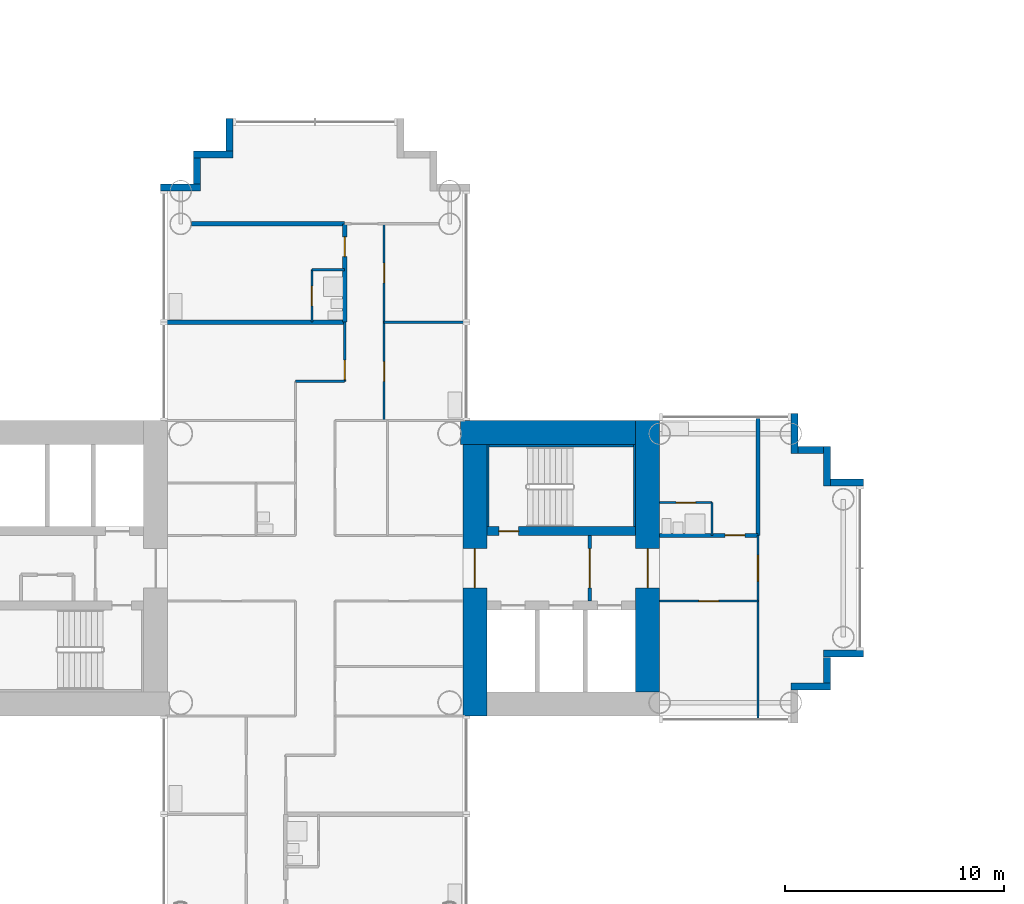
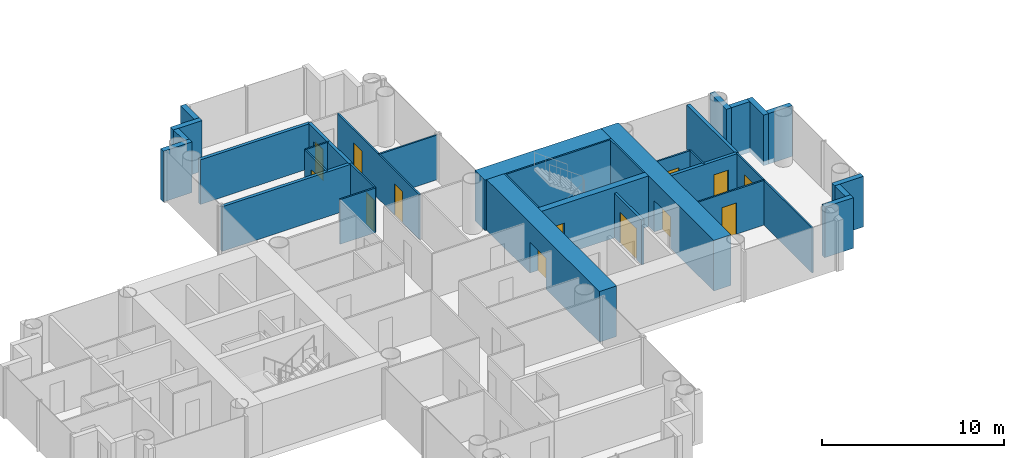
# One storey, part 11 of 22: 34 walls, 13 doors, 13 openings.
"""IFC4 building model written with IfcOpenShell, lengths in metres."""

from ifc_helpers import new_model, si_unit, direction, frame, frame_2d, origin, place, context, subcontext, project, spatial, rectangle, extrude, material, layer, layer_set, type_object, element, fill, save


model = new_model("IFC4")

# Units and contexts
model_context = context("Model", 3, precision=1e-05, world=origin(), true_north=direction((0.0, 1.0)))
body_context = subcontext(model_context, "Body", "Model", "MODEL_VIEW")
ifc_project = project(units=[si_unit("LENGTHUNIT", "METRE"), si_unit("AREAUNIT", "SQUARE_METRE"), si_unit("VOLUMEUNIT", "CUBIC_METRE"), si_unit("PLANEANGLEUNIT", "RADIAN"), si_unit("MASSUNIT", "GRAM", prefix="KILO")], contexts=[model_context])

# Site, building, storey
site_placement = place(None, origin())
site = spatial("IfcSite", under=ifc_project, at=site_placement, CompositionType="ELEMENT")
building_placement = place(site_placement, origin())
building = spatial("IfcBuilding", under=site, at=building_placement, Name="Ipe Terrace Towers", CompositionType="ELEMENT")
storey_placement = place(building_placement, frame((0.0, 0.0, 55.10009765625)))
storey = spatial("IfcBuildingStorey", under=building, at=storey_placement, Name="L14", CompositionType="ELEMENT", Elevation=55.10009765625)

# Walls
ifc_material_1 = material(Name="Concrete C40/50 with buff precast cladding", Category="concrete")
ifc_layer_1 = layer(ifc_material_1, 0.320068359375)
ifc_layer_set_1 = layer_set([ifc_layer_1], Name="BUFF CLADDING WALL 320")
wall_type_1 = type_object("IfcWallType", Name="BUFF CLADDING WALL 320", PredefinedType="STANDARD", material=ifc_layer_set_1)
wall_1_placement = place(storey_placement, frame((-14.25, -5.409912109375, -0.300048828125), z_axis=(0.0, 0.0, 1.0), x_axis=(1.0, 0.0, 0.0)))
element("IfcWall", 1, at=wall_1_placement, inside=storey, type_object=wall_type_1, Name="T1-W-L14-22a wall", PredefinedType="STANDARD", context=body_context, shape_type="SweptSolid", body=[
    extrude(rectangle(XDim=1.820068359375, YDim=0.320068359375, at=frame_2d((0.91015625, 0.0))), origin(), (0.0, 0.0, 1.0), 3.39990234375),
])
wall_2_placement = place(storey_placement, frame((-12.590087890625, -5.25, -0.300048828125), z_axis=(0.0, 0.0, 1.0), x_axis=(0.0, 1.0, 0.0)))
element("IfcWall", 2, at=wall_2_placement, inside=storey, type_object=wall_type_1, Name="T1-W-L14-23a wall", PredefinedType="STANDARD", context=body_context, shape_type="SweptSolid", body=[
    extrude(rectangle(XDim=1.179931640625, YDim=0.320068359375, at=frame_2d((0.58984375, 0.0))), origin(), (0.0, 0.0, 1.0), 3.39990234375),
])
wall_3_placement = place(storey_placement, frame((-12.75, -3.909912109375, -0.300048828125), z_axis=(0.0, 0.0, 1.0), x_axis=(1.0, 0.0, 0.0)))
element("IfcWall", 3, at=wall_3_placement, inside=storey, type_object=wall_type_1, Name="T1-W-L14-24a wall", PredefinedType="STANDARD", context=body_context, shape_type="SweptSolid", body=[
    extrude(rectangle(XDim=1.820068359375, YDim=0.320068359375, at=frame_2d((0.91015625, 0.0))), origin(), (0.0, 0.0, 1.0), 3.39990234375),
])
wall_4_placement = place(storey_placement, frame((-10.929931640625, 3.909912109375, -0.300048828125), z_axis=(0.0, 0.0, 1.0), x_axis=(-1.0, 0.0, 0.0)))
element("IfcWall", 4, at=wall_4_placement, inside=storey, type_object=wall_type_1, Name="T1-W-L14-26a wall", PredefinedType="STANDARD", context=body_context, shape_type="SweptSolid", body=[
    extrude(rectangle(XDim=1.5, YDim=0.320068359375, at=frame_2d((0.75, 0.0))), origin(), (0.0, 0.0, 1.0), 3.39990234375),
])
wall_5_placement = place(storey_placement, frame((-12.590087890625, 3.75, -0.300048828125), z_axis=(0.0, 0.0, 1.0), x_axis=(0.0, 1.0, 0.0)))
element("IfcWall", 5, at=wall_5_placement, inside=storey, type_object=wall_type_1, Name="T1-W-L14-27a wall", PredefinedType="STANDARD", context=body_context, shape_type="SweptSolid", body=[
    extrude(rectangle(XDim=1.820068359375, YDim=0.320068359375, at=frame_2d((0.91015625, 0.0))), origin(), (0.0, 0.0, 1.0), 3.39990234375),
])
wall_6_placement = place(storey_placement, frame((-12.75, 5.409912109375, -0.300048828125), z_axis=(0.0, 0.0, 1.0), x_axis=(-1.0, 0.0, 0.0)))
element("IfcWall", 6, at=wall_6_placement, inside=storey, type_object=wall_type_1, Name="T1-W-L14-28a wall", PredefinedType="STANDARD", context=body_context, shape_type="SweptSolid", body=[
    extrude(rectangle(XDim=1.179931640625, YDim=0.320068359375, at=frame_2d((0.58984375, 0.0))), origin(), (0.0, 0.0, 1.0), 3.39990234375),
])
wall_7_placement = place(storey_placement, frame((-14.090087890625, 5.25, -0.300048828125), z_axis=(0.0, 0.0, 1.0), x_axis=(0.0, 1.0, 0.0)))
element("IfcWall", 7, at=wall_7_placement, inside=storey, type_object=wall_type_1, Name="T1-W-L14-29a wall", PredefinedType="STANDARD", context=body_context, shape_type="SweptSolid", body=[
    extrude(rectangle(XDim=1.820068359375, YDim=0.320068359375, at=frame_2d((0.91015625, 0.0))), origin(), (0.0, 0.0, 1.0), 3.39990234375),
])
wall_8_placement = place(storey_placement, frame((-39.909912109375, 20.570068359375, -0.300048828125), z_axis=(0.0, 0.0, 1.0), x_axis=(0.0, -1.0, 0.0)))
element("IfcWall", 8, at=wall_8_placement, inside=storey, type_object=wall_type_1, Name="T1-W-L14-39a wall", PredefinedType="STANDARD", context=body_context, shape_type="SweptSolid", body=[
    extrude(rectangle(XDim=1.5, YDim=0.320068359375, at=frame_2d((0.75, 0.0))), origin(), (0.0, 0.0, 1.0), 3.39990234375),
])
wall_9_placement = place(storey_placement, frame((-39.75, 18.909912109375, -0.300048828125), z_axis=(0.0, 0.0, 1.0), x_axis=(-1.0, 0.0, 0.0)))
element("IfcWall", 9, at=wall_9_placement, inside=storey, type_object=wall_type_1, Name="T1-W-L14-40a wall", PredefinedType="STANDARD", context=body_context, shape_type="SweptSolid", body=[
    extrude(rectangle(XDim=1.820068359375, YDim=0.320068359375, at=frame_2d((0.91015625, 0.0))), origin(), (0.0, 0.0, 1.0), 3.39990234375),
])
wall_10_placement = place(storey_placement, frame((-41.409912109375, 18.75, -0.300048828125), z_axis=(0.0, 0.0, 1.0), x_axis=(0.0, -1.0, 0.0)))
element("IfcWall", 10, at=wall_10_placement, inside=storey, type_object=wall_type_1, Name="T1-W-L14-41a wall", PredefinedType="STANDARD", context=body_context, shape_type="SweptSolid", body=[
    extrude(rectangle(XDim=1.179931640625, YDim=0.320068359375, at=frame_2d((0.58984375, 0.0))), origin(), (0.0, 0.0, 1.0), 3.39990234375),
])
wall_11_placement = place(storey_placement, frame((-41.25, 17.409912109375, -0.300048828125), z_axis=(0.0, 0.0, 1.0), x_axis=(-1.0, 0.0, 0.0)))
element("IfcWall", 11, at=wall_11_placement, inside=storey, type_object=wall_type_1, Name="T1-W-L14-42a wall", PredefinedType="STANDARD", context=body_context, shape_type="SweptSolid", body=[
    extrude(rectangle(XDim=1.820068359375, YDim=0.320068359375, at=frame_2d((0.91015625, 0.0))), origin(), (0.0, 0.0, 1.0), 3.39990234375),
])

# Wall, opening, door
ifc_material_2 = material(Name="Gypsum board partition", Category="plasterboard")
ifc_layer_2 = layer(ifc_material_2, 0.10009765625)
ifc_layer_set_2 = layer_set([ifc_layer_2], Name="Gypsum board partition 100 mm")
wall_type_2 = type_object("IfcWallType", Name="Gypsum board partition 100 mm", PredefinedType="PARTITIONING", material=ifc_layer_set_2)
wall_12_placement = place(storey_placement, frame((-36.14990234375, 11.25, 0.0), z_axis=(0.0, 0.0, 1.0), x_axis=(0.0, 1.0, 0.0)))
wall_12 = element("IfcWall", 12, at=wall_12_placement, inside=storey, type_object=wall_type_2, Name="Gypsum board partition T1 L14 W11", PredefinedType="PARTITIONING", context=body_context, shape_type="SweptSolid", body=[
    extrude(rectangle(XDim=2.39990234375, YDim=0.10009765625, at=frame_2d((1.199951171875, 0.0))), origin(), (0.0, 0.0, 1.0), 3.0),
])
opening_1_placement = place(wall_12_placement, frame((0.75, 0.0, 0.0)))
opening_1 = element("IfcOpeningElement", 13, at=opening_1_placement, cuts=wall_12, Name="Opening T1-Z1D-11", PredefinedType="OPENING", context=body_context, shape_type="SweptSolid", body=[
    extrude(rectangle(XDim=0.89990234375, YDim=2.10009765625, at=frame_2d((0.449951171875, 1.050048828125))), frame((0.0, 0.06005859375, 0.0), z_axis=(0.0, -1.0, 0.0), x_axis=(1.0, 0.0, 0.0)), (0.0, 0.0, 1.0), 0.1201171875),
])
ifc_material_3 = material(Name="Timber door leaf", Category="wood")
door_type_1 = type_object("IfcDoorType", Name="Bathroom door 900 x 2100", OperationType="NOTDEFINED", PredefinedType="DOOR", material=ifc_material_3)
door_1_placement = place(opening_1_placement, origin())
door_1 = element("IfcDoor", 14, at=door_1_placement, inside=storey, type_object=door_type_1, Name="Bathroom door T1-Z1D-11", OperationType="SINGLE_SWING_LEFT", OverallHeight=2.10009765625, OverallWidth=0.89990234375, PredefinedType="DOOR", context=body_context, shape_type="SweptSolid", body=[
    extrude(rectangle(XDim=0.89990234375, YDim=2.10009765625, at=frame_2d((0.449951171875, 1.050048828125))), frame((0.0, 0.02490234375, 0.0), z_axis=(0.0, -1.0, 0.0), x_axis=(1.0, 0.0, 0.0)), (0.0, 0.0, 1.0), 0.050048828125),
])
fill(opening_1, door_1)

wall_13_placement = place(storey_placement, frame((-34.64990234375, 8.550048828125, 0.0), z_axis=(0.0, 0.0, 1.0), x_axis=(0.0, 1.0, 0.0)))
wall_13 = element("IfcWall", 15, at=wall_13_placement, inside=storey, type_object=wall_type_2, Name="Gypsum board partition T1 L14 W15", PredefinedType="PARTITIONING", context=body_context, shape_type="SweptSolid", body=[
    extrude(rectangle(XDim=2.699951171875, YDim=0.10009765625, at=frame_2d((1.35009765625, 0.0))), origin(), (0.0, 0.0, 1.0), 3.0),
])
opening_2_placement = place(wall_13_placement, frame((0.070068359375, 0.0, 0.0)))
opening_2 = element("IfcOpeningElement", 16, at=opening_2_placement, cuts=wall_13, Name="Opening T1-Z1D-09", PredefinedType="OPENING", context=body_context, shape_type="SweptSolid", body=[
    extrude(rectangle(XDim=0.89990234375, YDim=2.10009765625, at=frame_2d((0.449951171875, 1.050048828125))), frame((0.0, 0.06005859375, 0.0), z_axis=(0.0, -1.0, 0.0), x_axis=(1.0, 0.0, 0.0)), (0.0, 0.0, 1.0), 0.1201171875),
])
ifc_material_4 = material(Name="Timber door leaf", Category="wood")
door_type_2 = type_object("IfcDoorType", Name="Lounge door 900 x 2100", OperationType="NOTDEFINED", PredefinedType="DOOR", material=ifc_material_4)
door_2_placement = place(opening_2_placement, origin())
door_2 = element("IfcDoor", 17, at=door_2_placement, inside=storey, type_object=door_type_2, Name="Lounge door T1-Z1D-09", OperationType="SINGLE_SWING_RIGHT", OverallHeight=2.10009765625, OverallWidth=0.89990234375, PredefinedType="DOOR", context=body_context, shape_type="SweptSolid", body=[
    extrude(rectangle(XDim=0.89990234375, YDim=2.10009765625, at=frame_2d((0.449951171875, 1.050048828125))), frame((0.0, 0.02490234375, 0.0), z_axis=(0.0, -1.0, 0.0), x_axis=(1.0, 0.0, 0.0)), (0.0, 0.0, 1.0), 0.050048828125),
])
fill(opening_2, door_2)

# Wall, openings, doors
wall_14_placement = place(storey_placement, frame((-32.85009765625, 6.75, 0.0), z_axis=(0.0, 0.0, 1.0), x_axis=(0.0, 1.0, 0.0)))
wall_14 = element("IfcWall", 18, at=wall_14_placement, inside=storey, type_object=wall_type_2, Name="Gypsum board partition T1 L14 W17", PredefinedType="PARTITIONING", context=body_context, shape_type="SweptSolid", body=[
    extrude(rectangle(XDim=9.0, YDim=0.10009765625, at=frame_2d((4.5, 0.0))), origin(), (0.0, 0.0, 1.0), 3.0),
])
opening_3_placement = place(wall_14_placement, frame((1.800048828125, 0.0, 0.0)))
opening_3 = element("IfcOpeningElement", 19, at=opening_3_placement, cuts=wall_14, Name="Opening T1-Z1D-12", PredefinedType="OPENING", context=body_context, shape_type="SweptSolid", body=[
    extrude(rectangle(XDim=0.89990234375, YDim=2.10009765625, at=frame_2d((0.449951171875, 1.050048828125))), frame((0.0, 0.06005859375, 0.0), z_axis=(0.0, -1.0, 0.0), x_axis=(1.0, 0.0, 0.0)), (0.0, 0.0, 1.0), 0.1201171875),
])
opening_4_placement = place(wall_14_placement, frame((6.300048828125, 0.0, 0.0)))
opening_4 = element("IfcOpeningElement", 20, at=opening_4_placement, cuts=wall_14, Name="Opening T1-Z1D-13", PredefinedType="OPENING", context=body_context, shape_type="SweptSolid", body=[
    extrude(rectangle(XDim=0.89990234375, YDim=2.10009765625, at=frame_2d((0.449951171875, 1.050048828125))), frame((0.0, 0.06005859375, 0.0), z_axis=(0.0, -1.0, 0.0), x_axis=(1.0, 0.0, 0.0)), (0.0, 0.0, 1.0), 0.1201171875),
])
door_3_placement = place(opening_3_placement, origin())
door_3 = element("IfcDoor", 21, at=door_3_placement, inside=storey, type_object=door_type_2, Name="Lounge door T1-Z1D-12", OperationType="SINGLE_SWING_LEFT", OverallHeight=2.10009765625, OverallWidth=0.89990234375, PredefinedType="DOOR", context=body_context, shape_type="SweptSolid", body=[
    extrude(rectangle(XDim=0.89990234375, YDim=2.10009765625, at=frame_2d((0.449951171875, 1.050048828125))), frame((0.0, 0.02490234375, 0.0), z_axis=(0.0, -1.0, 0.0), x_axis=(1.0, 0.0, 0.0)), (0.0, 0.0, 1.0), 0.050048828125),
])
fill(opening_3, door_3)
door_4_placement = place(opening_4_placement, origin())
door_4 = element("IfcDoor", 22, at=door_4_placement, inside=storey, type_object=door_type_2, Name="Lounge door T1-Z1D-13", OperationType="SINGLE_SWING_RIGHT", OverallHeight=2.10009765625, OverallWidth=0.89990234375, PredefinedType="DOOR", context=body_context, shape_type="SweptSolid", body=[
    extrude(rectangle(XDim=0.89990234375, YDim=2.10009765625, at=frame_2d((0.449951171875, 1.050048828125))), frame((0.0, 0.02490234375, 0.0), z_axis=(0.0, -1.0, 0.0), x_axis=(1.0, 0.0, 0.0)), (0.0, 0.0, 1.0), 0.050048828125),
])
fill(opening_4, door_4)

# Wall
wall_15_placement = place(storey_placement, frame((-17.85009765625, 1.5, 0.0), z_axis=(0.0, 0.0, 1.0), x_axis=(0.0, 1.0, 0.0)))
element("IfcWall", 23, at=wall_15_placement, inside=storey, type_object=wall_type_2, Name="Gypsum board partition T1 L14 W19", PredefinedType="PARTITIONING", context=body_context, shape_type="SweptSolid", body=[
    extrude(rectangle(XDim=1.5, YDim=0.10009765625, at=frame_2d((0.75, 0.0))), origin(), (0.0, 0.0, 1.0), 3.0),
])

# Wall, opening, door
wall_16_placement = place(storey_placement, frame((-15.75, -6.85009765625, 0.0), z_axis=(0.0, 0.0, 1.0), x_axis=(0.0, 1.0, 0.0)))
wall_16 = element("IfcWall", 24, at=wall_16_placement, inside=storey, type_object=wall_type_2, Name="Gypsum board partition T1 L14 W20", PredefinedType="PARTITIONING", context=body_context, shape_type="SweptSolid", body=[
    extrude(rectangle(XDim=8.35009765625, YDim=0.10009765625, at=frame_2d((4.175048828125, 0.0))), origin(), (0.0, 0.0, 1.0), 3.0),
])
opening_5_placement = place(wall_16_placement, frame((6.25, 0.0, 0.0)))
opening_5 = element("IfcOpeningElement", 25, at=opening_5_placement, cuts=wall_16, Name="Opening T1-Z1D-24", PredefinedType="OPENING", context=body_context, shape_type="SweptSolid", body=[
    extrude(rectangle(XDim=1.199951171875, YDim=2.10009765625, at=frame_2d((0.60009765625, 1.050048828125))), frame((0.0, 0.06005859375, 0.0), z_axis=(0.0, -1.0, 0.0), x_axis=(1.0, 0.0, 0.0)), (0.0, 0.0, 1.0), 0.1201171875),
])
ifc_material_5 = material(Name="Timber door leaf", Category="wood")
door_type_3 = type_object("IfcDoorType", Name="Lounge door 1200 x 2100", OperationType="NOTDEFINED", PredefinedType="DOOR", material=ifc_material_5)
door_5_placement = place(opening_5_placement, origin())
door_5 = element("IfcDoor", 26, at=door_5_placement, inside=storey, type_object=door_type_3, Name="Lounge door T1-Z1D-24", OperationType="SINGLE_SWING_RIGHT", OverallHeight=2.10009765625, OverallWidth=1.199951171875, PredefinedType="DOOR", context=body_context, shape_type="SweptSolid", body=[
    extrude(rectangle(XDim=1.199951171875, YDim=2.10009765625, at=frame_2d((0.60009765625, 1.050048828125))), frame((0.0, 0.02490234375, 0.0), z_axis=(0.0, -1.0, 0.0), x_axis=(1.0, 0.0, 0.0)), (0.0, 0.0, 1.0), 0.050048828125),
])
fill(opening_5, door_5)

wall_17_placement = place(storey_placement, frame((-20.25, -1.5, 0.0), z_axis=(0.0, 0.0, 1.0), x_axis=(1.0, 0.0, 0.0)))
wall_17 = element("IfcWall", 27, at=wall_17_placement, inside=storey, type_object=wall_type_2, Name="Gypsum board partition T1 L14 W35", PredefinedType="PARTITIONING", context=body_context, shape_type="SweptSolid", body=[
    extrude(rectangle(XDim=4.5, YDim=0.10009765625, at=frame_2d((2.25, 0.0))), origin(), (0.0, 0.0, 1.0), 3.0),
])
opening_6_placement = place(wall_17_placement, frame((1.800048828125, 0.0, 0.0)))
opening_6 = element("IfcOpeningElement", 28, at=opening_6_placement, cuts=wall_17, Name="Opening T1-Z1D-23", PredefinedType="OPENING", context=body_context, shape_type="SweptSolid", body=[
    extrude(rectangle(XDim=0.89990234375, YDim=2.10009765625, at=frame_2d((0.449951171875, 1.050048828125))), frame((0.0, 0.06005859375, 0.0), z_axis=(0.0, -1.0, 0.0), x_axis=(1.0, 0.0, 0.0)), (0.0, 0.0, 1.0), 0.1201171875),
])
door_6_placement = place(opening_6_placement, origin())
door_6 = element("IfcDoor", 29, at=door_6_placement, inside=storey, type_object=door_type_2, Name="Lounge door T1-Z1D-23", OperationType="SINGLE_SWING_RIGHT", OverallHeight=2.10009765625, OverallWidth=0.89990234375, PredefinedType="DOOR", context=body_context, shape_type="SweptSolid", body=[
    extrude(rectangle(XDim=0.89990234375, YDim=2.10009765625, at=frame_2d((0.449951171875, 1.050048828125))), frame((0.0, 0.02490234375, 0.0), z_axis=(0.0, -1.0, 0.0), x_axis=(1.0, 0.0, 0.0)), (0.0, 0.0, 1.0), 0.050048828125),
])
fill(opening_6, door_6)

wall_18_placement = place(storey_placement, frame((-20.25, 3.0, 0.0), z_axis=(0.0, 0.0, 1.0), x_axis=(1.0, 0.0, 0.0)))
wall_18 = element("IfcWall", 30, at=wall_18_placement, inside=storey, type_object=wall_type_2, Name="Gypsum board partition T1 L14 W43", PredefinedType="PARTITIONING", context=body_context, shape_type="SweptSolid", body=[
    extrude(rectangle(XDim=2.39990234375, YDim=0.10009765625, at=frame_2d((1.199951171875, 0.0))), origin(), (0.0, 0.0, 1.0), 3.0),
])
opening_7_placement = place(wall_18_placement, frame((0.75, 0.0, 0.0)))
opening_7 = element("IfcOpeningElement", 31, at=opening_7_placement, cuts=wall_18, Name="Opening T1-Z1D-22", PredefinedType="OPENING", context=body_context, shape_type="SweptSolid", body=[
    extrude(rectangle(XDim=0.89990234375, YDim=2.10009765625, at=frame_2d((0.449951171875, 1.050048828125))), frame((0.0, 0.06005859375, 0.0), z_axis=(0.0, -1.0, 0.0), x_axis=(1.0, 0.0, 0.0)), (0.0, 0.0, 1.0), 0.1201171875),
])
door_7_placement = place(opening_7_placement, origin())
door_7 = element("IfcDoor", 32, at=door_7_placement, inside=storey, type_object=door_type_1, Name="Bathroom door T1-Z1D-22", OperationType="SINGLE_SWING_RIGHT", OverallHeight=2.10009765625, OverallWidth=0.89990234375, PredefinedType="DOOR", context=body_context, shape_type="SweptSolid", body=[
    extrude(rectangle(XDim=0.89990234375, YDim=2.10009765625, at=frame_2d((0.449951171875, 1.050048828125))), frame((0.0, 0.02490234375, 0.0), z_axis=(0.0, -1.0, 0.0), x_axis=(1.0, 0.0, 0.0)), (0.0, 0.0, 1.0), 0.050048828125),
])
fill(opening_7, door_7)

# Walls
wall_19_placement = place(storey_placement, frame((-36.89990234375, 8.550048828125, 0.0), z_axis=(0.0, 0.0, 1.0), x_axis=(1.0, 0.0, 0.0)))
element("IfcWall", 33, at=wall_19_placement, inside=storey, type_object=wall_type_2, Name="Gypsum board partition T1 L14 W48", PredefinedType="PARTITIONING", context=body_context, shape_type="SweptSolid", body=[
    extrude(rectangle(XDim=2.25, YDim=0.10009765625, at=frame_2d((1.125, 0.0))), origin(), (0.0, 0.0, 1.0), 3.0),
])
wall_20_placement = place(storey_placement, frame((-32.85009765625, 11.25, 0.0), z_axis=(0.0, 0.0, 1.0), x_axis=(1.0, 0.0, 0.0)))
element("IfcWall", 34, at=wall_20_placement, inside=storey, type_object=wall_type_2, Name="Gypsum board partition T1 L14 W49", PredefinedType="PARTITIONING", context=body_context, shape_type="SweptSolid", body=[
    extrude(rectangle(XDim=3.7001953125, YDim=0.10009765625, at=frame_2d((1.85009765625, 0.0))), origin(), (0.0, 0.0, 1.0), 3.0),
])
wall_21_placement = place(storey_placement, frame((-36.14990234375, 13.64990234375, 0.0), z_axis=(0.0, 0.0, 1.0), x_axis=(1.0, 0.0, 0.0)))
element("IfcWall", 35, at=wall_21_placement, inside=storey, type_object=wall_type_2, Name="Gypsum board partition T1 L14 W51", PredefinedType="PARTITIONING", context=body_context, shape_type="SweptSolid", body=[
    extrude(rectangle(XDim=1.5, YDim=0.10009765625, at=frame_2d((0.75, 0.0))), origin(), (0.0, 0.0, 1.0), 3.0),
])

# Wall, opening, door
ifc_material_6 = material(Name="Gypsum board partition", Category="plasterboard")
ifc_layer_3 = layer(ifc_material_6, 0.14990234375)
ifc_layer_set_3 = layer_set([ifc_layer_3], Name="Gypsum board partition 150 mm")
wall_type_3 = type_object("IfcWallType", Name="Gypsum board partition 150 mm", PredefinedType="PARTITIONING", material=ifc_layer_set_3)
wall_22_placement = place(storey_placement, frame((-23.449951171875, -1.5, 0.0), z_axis=(0.0, 0.0, 1.0), x_axis=(0.0, 1.0, 0.0)))
wall_22 = element("IfcWall", 36, at=wall_22_placement, inside=storey, type_object=wall_type_3, Name="Gypsum board partition T1 L14 t1c1-lobby-wall", PredefinedType="PARTITIONING", context=body_context, shape_type="SweptSolid", body=[
    extrude(rectangle(XDim=3.0, YDim=0.14990234375, at=frame_2d((1.5, 0.0))), origin(), (0.0, 0.0, 1.0), 3.0),
])
opening_8_placement = place(wall_22_placement, frame((0.60009765625, 0.0, 0.0)))
opening_8 = element("IfcOpeningElement", 37, at=opening_8_placement, cuts=wall_22, Name="Opening T1C1-VD", PredefinedType="OPENING", context=body_context, shape_type="SweptSolid", body=[
    extrude(rectangle(XDim=1.800048828125, YDim=2.10009765625, at=frame_2d((0.89990234375, 1.050048828125))), frame((0.0, 0.0849609375, 0.0), z_axis=(0.0, -1.0, 0.0), x_axis=(1.0, 0.0, 0.0)), (0.0, 0.0, 1.0), 0.169921875),
])
ifc_material_7 = material(Name="Fire-rated timber door leaf", Category="wood")
door_type_4 = type_object("IfcDoorType", Name="Lobby door 1800 x 2100 FD60", OperationType="NOTDEFINED", PredefinedType="DOOR", material=ifc_material_7)
door_8_placement = place(opening_8_placement, origin())
door_8 = element("IfcDoor", 38, at=door_8_placement, inside=storey, type_object=door_type_4, Name="Lobby door T1C1-VD", OperationType="SINGLE_SWING_LEFT", OverallHeight=2.10009765625, OverallWidth=1.800048828125, PredefinedType="DOOR", context=body_context, shape_type="SweptSolid", body=[
    extrude(rectangle(XDim=1.800048828125, YDim=2.10009765625, at=frame_2d((0.89990234375, 1.050048828125))), frame((0.0, 0.02490234375, 0.0), z_axis=(0.0, -1.0, 0.0), x_axis=(1.0, 0.0, 0.0)), (0.0, 0.0, 1.0), 0.050048828125),
])
fill(opening_8, door_8)

ifc_material_8 = material(Name="Gypsum board party wall", Category="plasterboard")
ifc_layer_4 = layer(ifc_material_8, 0.199951171875)
ifc_layer_set_4 = layer_set([ifc_layer_4], Name="Gypsum board party wall 200 mm")
wall_type_4 = type_object("IfcWallType", Name="Gypsum board party wall 200 mm", PredefinedType="SOLIDWALL", material=ifc_layer_set_4)
wall_23_placement = place(storey_placement, frame((-34.64990234375, 11.25, 0.0), z_axis=(0.0, 0.0, 1.0), x_axis=(0.0, 1.0, 0.0)))
wall_23 = element("IfcWall", 39, at=wall_23_placement, inside=storey, type_object=wall_type_4, Name="Gypsum board party wall T1 L14 W16", PredefinedType="SOLIDWALL", context=body_context, shape_type="SweptSolid", body=[
    extrude(rectangle(XDim=4.5, YDim=0.199951171875, at=frame_2d((2.25, 0.0))), origin(), (0.0, 0.0, 1.0), 3.0),
])
opening_9_placement = place(wall_23_placement, frame((3.0, 0.0, 0.0)))
opening_9 = element("IfcOpeningElement", 40, at=opening_9_placement, cuts=wall_23, Name="Opening T1-Z1D-10", PredefinedType="OPENING", context=body_context, shape_type="SweptSolid", body=[
    extrude(rectangle(XDim=0.89990234375, YDim=2.10009765625, at=frame_2d((0.449951171875, 1.050048828125))), frame((0.0, 0.10986328125, 0.0), z_axis=(0.0, -1.0, 0.0), x_axis=(1.0, 0.0, 0.0)), (0.0, 0.0, 1.0), 0.219970703125),
])
ifc_material_9 = material(Name="Fire-rated timber door leaf", Category="wood")
door_type_5 = type_object("IfcDoorType", Name="Flat entrance door 900 x 2100 FD30S", OperationType="NOTDEFINED", PredefinedType="DOOR", material=ifc_material_9)
door_9_placement = place(opening_9_placement, origin())
door_9 = element("IfcDoor", 41, at=door_9_placement, inside=storey, type_object=door_type_5, Name="Flat entrance door T1-Z1D-10", OperationType="SINGLE_SWING_LEFT", OverallHeight=2.10009765625, OverallWidth=0.89990234375, PredefinedType="DOOR", context=body_context, shape_type="SweptSolid", body=[
    extrude(rectangle(XDim=0.89990234375, YDim=2.10009765625, at=frame_2d((0.449951171875, 1.050048828125))), frame((0.0, 0.02490234375, 0.0), z_axis=(0.0, -1.0, 0.0), x_axis=(1.0, 0.0, 0.0)), (0.0, 0.0, 1.0), 0.050048828125),
])
fill(opening_9, door_9)

# Wall
wall_24_placement = place(storey_placement, frame((-15.75, 1.5, 0.0), z_axis=(0.0, 0.0, 1.0), x_axis=(0.0, 1.0, 0.0)))
element("IfcWall", 42, at=wall_24_placement, inside=storey, type_object=wall_type_4, Name="Gypsum board party wall T1 L14 W21", PredefinedType="SOLIDWALL", context=body_context, shape_type="SweptSolid", body=[
    extrude(rectangle(XDim=5.35009765625, YDim=0.199951171875, at=frame_2d((2.675048828125, 0.0))), origin(), (0.0, 0.0, 1.0), 3.0),
])

# Wall, opening, door
wall_25_placement = place(storey_placement, frame((-20.25, 1.5, 0.0), z_axis=(0.0, 0.0, 1.0), x_axis=(1.0, 0.0, 0.0)))
wall_25 = element("IfcWall", 43, at=wall_25_placement, inside=storey, type_object=wall_type_4, Name="Gypsum board party wall T1 L14 W41", PredefinedType="SOLIDWALL", context=body_context, shape_type="SweptSolid", body=[
    extrude(rectangle(XDim=4.5, YDim=0.199951171875, at=frame_2d((2.25, 0.0))), origin(), (0.0, 0.0, 1.0), 3.0),
])
opening_10_placement = place(wall_25_placement, frame((3.0, 0.0, 0.0)))
opening_10 = element("IfcOpeningElement", 44, at=opening_10_placement, cuts=wall_25, Name="Opening T1-Z1D-21", PredefinedType="OPENING", context=body_context, shape_type="SweptSolid", body=[
    extrude(rectangle(XDim=0.89990234375, YDim=2.10009765625, at=frame_2d((0.449951171875, 1.050048828125))), frame((0.0, 0.10986328125, 0.0), z_axis=(0.0, -1.0, 0.0), x_axis=(1.0, 0.0, 0.0)), (0.0, 0.0, 1.0), 0.219970703125),
])
door_10_placement = place(opening_10_placement, origin())
door_10 = element("IfcDoor", 45, at=door_10_placement, inside=storey, type_object=door_type_5, Name="Flat entrance door T1-Z1D-21", OperationType="SINGLE_SWING_LEFT", OverallHeight=2.10009765625, OverallWidth=0.89990234375, PredefinedType="DOOR", context=body_context, shape_type="SweptSolid", body=[
    extrude(rectangle(XDim=0.89990234375, YDim=2.10009765625, at=frame_2d((0.449951171875, 1.050048828125))), frame((0.0, 0.02490234375, 0.0), z_axis=(0.0, -1.0, 0.0), x_axis=(1.0, 0.0, 0.0)), (0.0, 0.0, 1.0), 0.050048828125),
])
fill(opening_10, door_10)

# Walls
wall_26_placement = place(storey_placement, frame((-42.85009765625, 11.25, 0.0), z_axis=(0.0, 0.0, 1.0), x_axis=(1.0, 0.0, 0.0)))
element("IfcWall", 46, at=wall_26_placement, inside=storey, type_object=wall_type_4, Name="Gypsum board party wall T1 L14 W50", PredefinedType="SOLIDWALL", context=body_context, shape_type="SweptSolid", body=[
    extrude(rectangle(XDim=8.2001953125, YDim=0.199951171875, at=frame_2d((4.10009765625, 0.0))), origin(), (0.0, 0.0, 1.0), 3.0),
])
wall_27_placement = place(storey_placement, frame((-41.64990234375, 15.75, 0.0), z_axis=(0.0, 0.0, 1.0), x_axis=(1.0, 0.0, 0.0)))
element("IfcWall", 47, at=wall_27_placement, inside=storey, type_object=wall_type_4, Name="Gypsum board party wall T1 L14 W53", PredefinedType="SOLIDWALL", context=body_context, shape_type="SweptSolid", body=[
    extrude(rectangle(XDim=7.0, YDim=0.199951171875, at=frame_2d((3.5, 0.0))), origin(), (0.0, 0.0, 1.0), 3.0),
])
ifc_material_10 = material(Name="Concrete C60/75", Category="concrete")
ifc_layer_5 = layer(ifc_material_10, 0.10009765625)
ifc_layer_set_5 = layer_set([ifc_layer_5], Name="RW100 CORE INFILL WALL 100 C60-75")
wall_type_5 = type_object("IfcWallType", Name="RW100 CORE INFILL WALL 100 C60-75", PredefinedType="SHEAR", material=ifc_layer_set_5)
wall_28_placement = place(storey_placement, frame((-21.39990234375, 1.89990234375, 0.0), z_axis=(0.0, 0.0, 1.0), x_axis=(0.0, 1.0, 0.0)))
element("IfcWall", 48, at=wall_28_placement, inside=storey, type_object=wall_type_5, Name="Core infill wall T1-C1-far", PredefinedType="SHEAR", context=body_context, shape_type="SweptSolid", body=[
    extrude(rectangle(XDim=3.75, YDim=0.10009765625, at=frame_2d((1.875, 0.0))), origin(), (0.0, 0.0, 1.0), 3.39990234375),
])
wall_29_placement = place(storey_placement, frame((-28.050048828125, 5.60009765625, 0.0), z_axis=(0.0, 0.0, 1.0), x_axis=(1.0, 0.0, 0.0)))
element("IfcWall", 49, at=wall_29_placement, inside=storey, type_object=wall_type_5, Name="Core infill wall T1-C1-back", PredefinedType="SHEAR", context=body_context, shape_type="SweptSolid", body=[
    extrude(rectangle(XDim=6.60009765625, YDim=0.10009765625, at=frame_2d((3.300048828125, 0.0))), origin(), (0.0, 0.0, 1.0), 3.39990234375),
])
wall_30_placement = place(storey_placement, frame((-28.10009765625, 1.89990234375, 0.0), z_axis=(0.0, 0.0, 1.0), x_axis=(0.0, 1.0, 0.0)))
element("IfcWall", 50, at=wall_30_placement, inside=storey, type_object=wall_type_5, Name="Core infill wall T1-C1-near", PredefinedType="SHEAR", context=body_context, shape_type="SweptSolid", body=[
    extrude(rectangle(XDim=3.75, YDim=0.10009765625, at=frame_2d((1.875, 0.0))), origin(), (0.0, 0.0, 1.0), 3.39990234375),
])

# Wall, opening, door
ifc_material_11 = material(Name="Concrete C60/75", Category="concrete")
ifc_layer_6 = layer(ifc_material_11, 1.10009765625)
ifc_layer_set_6 = layer_set([ifc_layer_6], Name="RW1100 CORE WALL 1100 C60-75")
wall_type_6 = type_object("IfcWallType", Name="RW1100 CORE WALL 1100 C60-75", PredefinedType="SHEAR", material=ifc_layer_set_6)
wall_31_placement = place(storey_placement, frame((-20.800048828125, -5.64990234375, 0.0), z_axis=(0.0, 0.0, 1.0), x_axis=(0.0, 1.0, 0.0)))
wall_31 = element("IfcWall", 51, at=wall_31_placement, inside=storey, type_object=wall_type_6, Name="Core wall T1-C1-Z1-W02", PredefinedType="SHEAR", context=body_context, shape_type="SweptSolid", body=[
    extrude(rectangle(XDim=12.39990234375, YDim=1.10009765625, at=frame_2d((6.199951171875, 0.0))), origin(), (0.0, 0.0, 1.0), 3.39990234375),
])
opening_11_placement = place(wall_31_placement, frame((4.75, 0.0, 0.0)))
opening_11 = element("IfcOpeningElement", 52, at=opening_11_placement, cuts=wall_31, Name="Opening T1C1-FD", PredefinedType="OPENING", context=body_context, shape_type="SweptSolid", body=[
    extrude(rectangle(XDim=1.800048828125, YDim=2.10009765625, at=frame_2d((0.89990234375, 1.050048828125))), frame((0.0, 0.56005859375, 0.0), z_axis=(0.0, -1.0, 0.0), x_axis=(1.0, 0.0, 0.0)), (0.0, 0.0, 1.0), 1.1201171875),
])
ifc_material_12 = material(Name="Fire-rated timber door leaf", Category="wood")
door_type_6 = type_object("IfcDoorType", Name="Fire door 1800 x 2100 FD30S", OperationType="NOTDEFINED", PredefinedType="DOOR", material=ifc_material_12)
door_11_placement = place(opening_11_placement, origin())
door_11 = element("IfcDoor", 53, at=door_11_placement, inside=storey, type_object=door_type_6, Name="Fire door T1C1-FD", OperationType="SINGLE_SWING_LEFT", OverallHeight=2.10009765625, OverallWidth=1.800048828125, PredefinedType="DOOR", context=body_context, shape_type="SweptSolid", body=[
    extrude(rectangle(XDim=1.800048828125, YDim=2.10009765625, at=frame_2d((0.89990234375, 1.050048828125))), frame((0.0, 0.02490234375, 0.0), z_axis=(0.0, -1.0, 0.0), x_axis=(1.0, 0.0, 0.0)), (0.0, 0.0, 1.0), 0.050048828125),
])
fill(opening_11, door_11)

# Wall
wall_32_placement = place(storey_placement, frame((-21.35009765625, 6.199951171875, 0.0), z_axis=(0.0, 0.0, 1.0), x_axis=(-1.0, 0.0, 0.0)))
element("IfcWall", 54, at=wall_32_placement, inside=storey, type_object=wall_type_6, Name="Core wall T1-C1-Z1-W03", PredefinedType="SHEAR", context=body_context, shape_type="SweptSolid", body=[
    extrude(rectangle(XDim=7.997802734375, YDim=1.10009765625, at=frame_2d((3.9990234375, 0.0))), origin(), (0.0, 0.0, 1.0), 3.39990234375),
])

# Wall, opening, door
wall_33_placement = place(storey_placement, frame((-28.699951171875, 5.64990234375, 0.0), z_axis=(0.0, 0.0, 1.0), x_axis=(0.0, -1.0, 0.0)))
wall_33 = element("IfcWall", 55, at=wall_33_placement, inside=storey, type_object=wall_type_6, Name="Core wall T1-C1-Z1-W04", PredefinedType="SHEAR", context=body_context, shape_type="SweptSolid", body=[
    extrude(rectangle(XDim=12.39990234375, YDim=1.10009765625, at=frame_2d((6.199951171875, 0.0))), origin(), (0.0, 0.0, 1.0), 3.39990234375),
])
opening_12_placement = place(wall_33_placement, frame((4.75, 0.0, 0.0)))
opening_12 = element("IfcOpeningElement", 56, at=opening_12_placement, cuts=wall_33, Name="Opening T1C1-ND", PredefinedType="OPENING", context=body_context, shape_type="SweptSolid", body=[
    extrude(rectangle(XDim=1.800048828125, YDim=2.10009765625, at=frame_2d((0.89990234375, 1.050048828125))), frame((0.0, 0.56005859375, 0.0), z_axis=(0.0, -1.0, 0.0), x_axis=(1.0, 0.0, 0.0)), (0.0, 0.0, 1.0), 1.1201171875),
])
door_12_placement = place(opening_12_placement, origin())
door_12 = element("IfcDoor", 57, at=door_12_placement, inside=storey, type_object=door_type_6, Name="Fire door T1C1-ND", OperationType="SINGLE_SWING_LEFT", OverallHeight=2.10009765625, OverallWidth=1.800048828125, PredefinedType="DOOR", context=body_context, shape_type="SweptSolid", body=[
    extrude(rectangle(XDim=1.800048828125, YDim=2.10009765625, at=frame_2d((0.89990234375, 1.050048828125))), frame((0.0, 0.02490234375, 0.0), z_axis=(0.0, -1.0, 0.0), x_axis=(1.0, 0.0, 0.0)), (0.0, 0.0, 1.0), 0.050048828125),
])
fill(opening_12, door_12)

ifc_material_13 = material(Name="Concrete C60/75", Category="concrete")
ifc_layer_7 = layer(ifc_material_13, 0.39990234375)
ifc_layer_set_7 = layer_set([ifc_layer_7], Name="RW400 CORE SPINE WALL 400 C60-75")
wall_type_7 = type_object("IfcWallType", Name="RW400 CORE SPINE WALL 400 C60-75", PredefinedType="SHEAR", material=ifc_layer_set_7)
wall_34_placement = place(storey_placement, frame((-28.14990234375, 1.699951171875, 0.0), z_axis=(0.0, 0.0, 1.0), x_axis=(1.0, 0.0, 0.0)))
wall_34 = element("IfcWall", 58, at=wall_34_placement, inside=storey, type_object=wall_type_7, Name="Core spine wall T1-C1-Z1-SW2", PredefinedType="SHEAR", context=body_context, shape_type="SweptSolid", body=[
    extrude(rectangle(XDim=6.7998046875, YDim=0.39990234375, at=frame_2d((3.39990234375, 0.0))), origin(), (0.0, 0.0, 1.0), 3.39990234375),
])
opening_13_placement = place(wall_34_placement, frame((0.550048828125, 0.0, 0.0)))
opening_13 = element("IfcOpeningElement", 59, at=opening_13_placement, cuts=wall_34, Name="Opening T1C1-SD", PredefinedType="OPENING", context=body_context, shape_type="SweptSolid", body=[
    extrude(rectangle(XDim=0.89990234375, YDim=2.10009765625, at=frame_2d((0.449951171875, 1.050048828125))), frame((0.0, 0.2099609375, 0.0), z_axis=(0.0, -1.0, 0.0), x_axis=(1.0, 0.0, 0.0)), (0.0, 0.0, 1.0), 0.419921875),
])
ifc_material_14 = material(Name="Fire-rated timber door leaf", Category="wood")
door_type_7 = type_object("IfcDoorType", Name="Stair door 900 x 2100 FD60", OperationType="NOTDEFINED", PredefinedType="DOOR", material=ifc_material_14)
door_13_placement = place(opening_13_placement, origin())
door_13 = element("IfcDoor", 60, at=door_13_placement, inside=storey, type_object=door_type_7, Name="Stair door T1C1-SD", OperationType="SINGLE_SWING_LEFT", OverallHeight=2.10009765625, OverallWidth=0.89990234375, PredefinedType="DOOR", context=body_context, shape_type="SweptSolid", body=[
    extrude(rectangle(XDim=0.89990234375, YDim=2.10009765625, at=frame_2d((0.449951171875, 1.050048828125))), frame((0.0, 0.02490234375, 0.0), z_axis=(0.0, -1.0, 0.0), x_axis=(1.0, 0.0, 0.0)), (0.0, 0.0, 1.0), 0.050048828125),
])
fill(opening_13, door_13)

save(model, "model.ifc")
